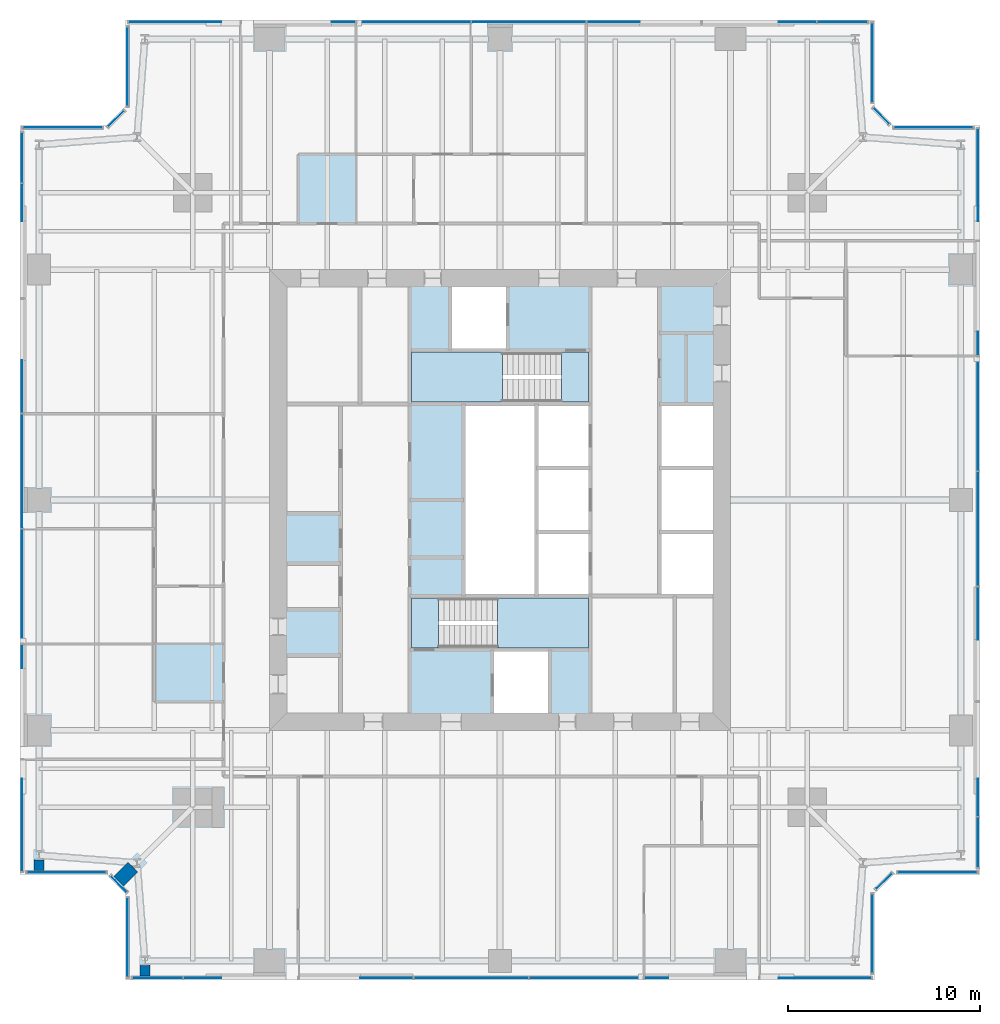
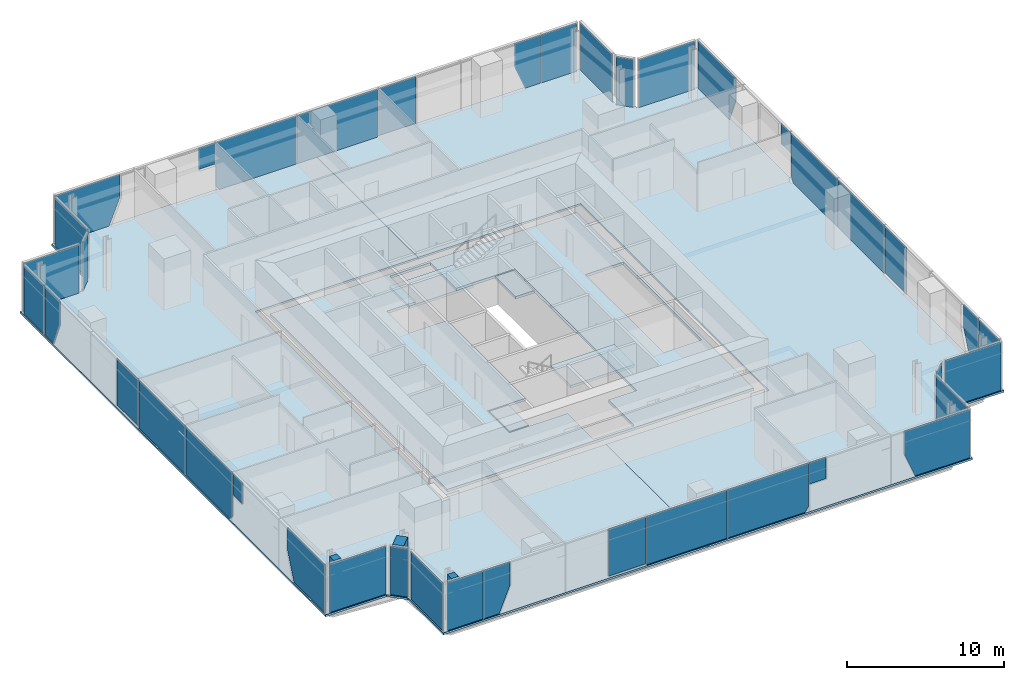
# One storey, part 8 of 14: 40 plates, 7 slabs, 3 walls, 18 elements without a shape of their own.
"""IFC4 building model written with IfcOpenShell, lengths in metres."""

from ifc_helpers import new_model, si_unit, direction, frame, frame_2d, origin, origin_2d, place, context, subcontext, project, spatial, polyline, rectangle, outline, extrude, material, layer, layer_set, type_object, element, aggregate, save


model = new_model("IFC4")

# Units and contexts
model_context = context("Model", 3, precision=1e-05, world=origin(), true_north=direction((0.0, 1.0)))
body_context = subcontext(model_context, "Body", "Model", "MODEL_VIEW")
ifc_project = project(units=[si_unit("LENGTHUNIT", "METRE"), si_unit("AREAUNIT", "SQUARE_METRE"), si_unit("VOLUMEUNIT", "CUBIC_METRE"), si_unit("PLANEANGLEUNIT", "RADIAN"), si_unit("MASSUNIT", "GRAM", prefix="KILO")], contexts=[model_context])

# Site, building, storey
site_placement = place(None, origin())
site = spatial("IfcSite", under=ifc_project, at=site_placement, CompositionType="ELEMENT")
building_placement = place(site_placement, origin())
building = spatial("IfcBuilding", under=site, at=building_placement, Name="Fenwick Lantern Interchange", CompositionType="ELEMENT")
storey_placement = place(building_placement, frame((0.0, 0.0, 197.800048828125)))
storey = spatial("IfcBuildingStorey", under=building, at=storey_placement, Name="L46", CompositionType="ELEMENT", Elevation=197.800048828125)

# Slabs
ifc_material_1 = material(Name="Concrete f'c 35 MPa", Category="concrete")
ifc_layer_1 = layer(ifc_material_1, 0.199951171875)
ifc_layer_set_1 = layer_set([ifc_layer_1], Name="CORE FLOOR SLAB 200")
slab_type_1 = type_object("IfcSlabType", Name="CORE FLOOR SLAB 200", PredefinedType="FLOOR", material=ifc_layer_set_1)
slab_1_placement = place(storey_placement, frame((0.0, 0.0, -0.199951171875)))
element("IfcSlab", 1, at=slab_1_placement, inside=storey, type_object=slab_type_1, Name="L46/SLAB/CORE", PredefinedType="FLOOR", context=body_context, shape_type="SweptSolid", body=[
    extrude(outline(polyline([(13.699951171875, 36.300048828125), (36.300048828125, 36.300048828125), (36.300048828125, 13.699951171875), (13.699951171875, 13.699951171875), (13.699951171875, 36.300048828125)]), holes=[polyline([(24.60009765625, 13.89990234375), (27.60009765625, 13.89990234375), (27.60009765625, 17.199951171875), (29.699951171875, 17.199951171875), (29.699951171875, 20.0), (29.699951171875, 23.333251953125), (29.699951171875, 26.666748046875), (29.699951171875, 30.0), (29.699951171875, 32.800048828125), (25.39990234375, 32.800048828125), (25.39990234375, 36.10009765625), (22.39990234375, 36.10009765625), (22.39990234375, 32.800048828125), (20.300048828125, 32.800048828125), (20.300048828125, 30.0), (23.10009765625, 30.0), (23.10009765625, 20.0), (20.300048828125, 20.0), (20.300048828125, 17.199951171875), (24.60009765625, 17.199951171875), (24.60009765625, 13.89990234375)]), polyline([(33.300048828125, 23.333251953125), (33.300048828125, 20.0), (36.10009765625, 20.0), (36.10009765625, 23.333251953125), (36.10009765625, 26.666748046875), (36.10009765625, 30.0), (33.300048828125, 30.0), (33.300048828125, 26.666748046875), (33.300048828125, 23.333251953125)])]), origin(), (0.0, 0.0, 1.0), 0.199951171875),
])
ifc_material_2 = material(Name="Concrete f'c 35 MPa", Category="concrete")
ifc_layer_2 = layer(ifc_material_2, 0.14990234375)
ifc_layer_set_2 = layer_set([ifc_layer_2], Name="Concrete f'c 35 MPa")
slab_type_2 = type_object("IfcSlabType", Name="FLOOR SLAB 150", PredefinedType="FLOOR", material=ifc_layer_set_2)
slab_2_placement = place(storey_placement, frame((0.0, 0.0, -0.150146484375)))
element("IfcSlab", 2, at=slab_2_placement, inside=storey, type_object=slab_type_2, Name="L46/SLAB/FW", PredefinedType="FLOOR", context=body_context, shape_type="SweptSolid", body=[
    extrude(outline(polyline([(5.5, 0.0), (5.5, 4.5), (4.5, 5.5), (0.0, 5.5), (0.0, 44.5), (4.5, 44.5), (5.5, 45.5), (5.5, 50.0), (25.0, 50.0), (25.0, 37.0), (13.0, 37.0), (13.0, 13.0), (25.0, 13.0), (25.0, 0.0), (5.5, 0.0)])), origin(), (0.0, 0.0, 1.0), 0.150146484375),
])
slab_3_placement = place(storey_placement, frame((0.0, 0.0, -0.150146484375)))
element("IfcSlab", 3, at=slab_3_placement, inside=storey, type_object=slab_type_2, Name="L46/SLAB/FE", PredefinedType="FLOOR", context=body_context, shape_type="SweptSolid", body=[
    extrude(outline(polyline([(44.5, 50.0), (44.5, 45.5), (45.5, 44.5), (50.0, 44.5), (50.0, 5.5), (45.5, 5.5), (44.5, 4.5), (44.5, 0.0), (25.0, 0.0), (25.0, 13.0), (37.0, 13.0), (37.0, 37.0), (25.0, 37.0), (25.0, 50.0), (44.5, 50.0)])), origin(), (0.0, 0.0, 1.0), 0.150146484375),
])

# Curtain wall, plates
ifc_material_3 = material(Name="Aluminium curtain wall frame", Category="aluminium")
curtain_wall_type = type_object("IfcCurtainWallType", Name="OFFICE CURTAIN WALL", PredefinedType="USERDEFINED", material=ifc_material_3)
curtain_wall_1_placement = place(storey_placement, origin())
curtain_wall_1 = element("IfcCurtainWall", 4, at=curtain_wall_1_placement, inside=storey, type_object=curtain_wall_type, Name="Office curtain wall 01", ObjectType="OFFICE CURTAIN WALL", PredefinedType="USERDEFINED")
ifc_material_4 = material(Name="Vision glass, clear low-iron double glazed", Category="glass")
ifc_layer_3 = layer(ifc_material_4, 0.031982421875)
ifc_layer_set_3 = layer_set([ifc_layer_3], Name="OFFICE CURTAIN WALL PANEL 32")
plate_type = type_object("IfcPlateType", Name="OFFICE CURTAIN WALL PANEL 32", PredefinedType="CURTAIN_PANEL", material=ifc_layer_set_3)
plate_1_placement = place(storey_placement, frame((7.166259765625, 0.10009765625, 0.0), z_axis=(0.0, 0.0, 1.0), x_axis=(1.0, 0.0, 0.0)))
plate_1 = element("IfcPlate", 5, at=plate_1_placement, type_object=plate_type, Name="L46/CW/01/P00", PredefinedType="CURTAIN_PANEL", context=body_context, shape_type="SweptSolid", body=[
    extrude(rectangle(XDim=2.6025390625, YDim=0.031982421875, at=origin_2d()), origin(), (0.0, 0.0, 1.0), 3.75),
])
plate_2_placement = place(storey_placement, frame((5.60009765625, 0.10009765625, 0.0), z_axis=(0.0, 0.0, 1.0), x_axis=(1.0, 0.0, 0.0)))
plate_2 = element("IfcPlate", 6, at=plate_2_placement, type_object=plate_type, Name="L46/CW/01/P01a", PredefinedType="CURTAIN_PANEL", context=body_context, shape_type="SweptSolid", body=[
    extrude(outline(polyline([(2.9326171875, 0.0), (4.078369140625, 0.0), (4.8798828125, 1.973388671875), (4.8798828125, 3.75), (2.9326171875, 3.75), (2.9326171875, 0.0)])), frame((0.0, 0.01611328125, 0.0), z_axis=(0.0, -1.0, 0.0), x_axis=(1.0, 0.0, 0.0)), (0.0, 0.0, 1.0), 0.031982421875),
])
plate_3_placement = place(storey_placement, frame((5.60009765625, 0.10009765625, 0.093994140625), z_axis=(0.0, 0.0, 1.0), x_axis=(1.0, 0.0, 0.0)))
plate_3 = element("IfcPlate", 7, at=plate_3_placement, type_object=plate_type, Name="L46/CW/01/P02a", PredefinedType="CURTAIN_PANEL", context=body_context, shape_type="SweptSolid", body=[
    extrude(outline(polyline([(12.125, 0.0), (14.867431640625, 0.0), (14.867431640625, 3.656005859375), (12.125, 3.656005859375), (12.125, 0.0)])), frame((0.0, 0.01611328125, 0.0), z_axis=(0.0, -1.0, 0.0), x_axis=(1.0, 0.0, 0.0)), (0.0, 0.0, 1.0), 0.031982421875),
])
plate_4_placement = place(storey_placement, frame((23.5, 0.10009765625, 0.0), z_axis=(0.0, 0.0, 1.0), x_axis=(1.0, 0.0, 0.0)))
plate_4 = element("IfcPlate", 8, at=plate_4_placement, type_object=plate_type, Name="L46/CW/01/P03", PredefinedType="CURTAIN_PANEL", context=body_context, shape_type="SweptSolid", body=[
    extrude(rectangle(XDim=5.93505859375, YDim=0.031982421875, at=origin_2d()), origin(), (0.0, 0.0, 1.0), 3.75),
])
plate_5_placement = place(storey_placement, frame((5.60009765625, 0.10009765625, 0.0), z_axis=(0.0, 0.0, 1.0), x_axis=(1.0, 0.0, 0.0)))
plate_5 = element("IfcPlate", 9, at=plate_5_placement, type_object=plate_type, Name="L46/CW/01/P04a", PredefinedType="CURTAIN_PANEL", context=body_context, shape_type="SweptSolid", body=[
    extrude(outline(polyline([(20.9326171875, 0.0), (26.6044921875, 0.0), (26.867431640625, 0.3505859375), (26.867431640625, 3.75), (20.9326171875, 3.75), (20.9326171875, 0.0)])), frame((0.0, 0.01611328125, 0.0), z_axis=(0.0, -1.0, 0.0), x_axis=(1.0, 0.0, 0.0)), (0.0, 0.0, 1.0), 0.031982421875),
])
plate_6_placement = place(storey_placement, frame((5.60009765625, 0.10009765625, 2.090576171875), z_axis=(0.0, 0.0, 1.0), x_axis=(1.0, 0.0, 0.0)))
plate_6 = element("IfcPlate", 10, at=plate_6_placement, type_object=plate_type, Name="L46/CW/01/P05a", PredefinedType="CURTAIN_PANEL", context=body_context, shape_type="SweptSolid", body=[
    extrude(outline(polyline([(26.9326171875, 0.0), (28.172607421875, 0.0), (28.172607421875, 1.659423828125), (26.9326171875, 1.659423828125), (26.9326171875, 0.0)])), frame((0.0, 0.01611328125, 0.0), z_axis=(0.0, -1.0, 0.0), x_axis=(1.0, 0.0, 0.0)), (0.0, 0.0, 1.0), 0.031982421875),
])
plate_7_placement = place(storey_placement, frame((5.60009765625, 0.10009765625, 0.0), z_axis=(0.0, 0.0, 1.0), x_axis=(1.0, 0.0, 0.0)))
plate_7 = element("IfcPlate", 11, at=plate_7_placement, type_object=plate_type, Name="L46/CW/01/P06a", PredefinedType="CURTAIN_PANEL", context=body_context, shape_type="SweptSolid", body=[
    extrude(outline(polyline([(34.7216796875, 0.0), (38.735107421875, 0.0), (38.735107421875, 3.75), (33.919921875, 3.75), (33.919921875, 1.973388671875), (34.7216796875, 0.0)])), frame((0.0, 0.01611328125, 0.0), z_axis=(0.0, -1.0, 0.0), x_axis=(1.0, 0.0, 0.0)), (0.0, 0.0, 1.0), 0.031982421875),
])
aggregate(curtain_wall_1, [plate_1, plate_2, plate_3, plate_4, plate_5, plate_6, plate_7])

# Curtain wall, plate
curtain_wall_2_placement = place(storey_placement, origin())
curtain_wall_2 = element("IfcCurtainWall", 12, at=curtain_wall_2_placement, inside=storey, type_object=curtain_wall_type, Name="Office curtain wall 02", ObjectType="OFFICE CURTAIN WALL", PredefinedType="USERDEFINED")
plate_8_placement = place(storey_placement, frame((44.39990234375, 2.420654296875, 0.0), z_axis=(0.0, 0.0, 1.0), x_axis=(0.0, 1.0, 0.0)))
plate_8 = element("IfcPlate", 13, at=plate_8_placement, type_object=plate_type, Name="L46/CW/02/P00", PredefinedType="CURTAIN_PANEL", context=body_context, shape_type="SweptSolid", body=[
    extrude(rectangle(XDim=4.111328125, YDim=0.031982421875, at=origin_2d()), origin(), (0.0, 0.0, 1.0), 3.75),
])
aggregate(curtain_wall_2, [plate_8])

curtain_wall_3_placement = place(storey_placement, origin())
curtain_wall_3 = element("IfcCurtainWall", 14, at=curtain_wall_3_placement, inside=storey, type_object=curtain_wall_type, Name="Office curtain wall 03", ObjectType="OFFICE CURTAIN WALL", PredefinedType="USERDEFINED")
plate_9_placement = place(storey_placement, frame((45.0, 5.141357421875, 0.0), z_axis=(0.0, 0.0, 1.0), x_axis=(0.707106781187, 0.707106781187, 0.0)))
plate_9 = element("IfcPlate", 15, at=plate_9_placement, type_object=plate_type, Name="L46/CW/03/P00", PredefinedType="CURTAIN_PANEL", context=body_context, shape_type="SweptSolid", body=[
    extrude(rectangle(XDim=1.1669921875, YDim=0.031982421875, at=origin_2d()), origin(), (0.0, 0.0, 1.0), 3.75),
])
aggregate(curtain_wall_3, [plate_9])

curtain_wall_4_placement = place(storey_placement, origin())
curtain_wall_4 = element("IfcCurtainWall", 16, at=curtain_wall_4_placement, inside=storey, type_object=curtain_wall_type, Name="Office curtain wall 04", ObjectType="OFFICE CURTAIN WALL", PredefinedType="USERDEFINED")
plate_10_placement = place(storey_placement, frame((47.779296875, 5.60009765625, 0.0), z_axis=(0.0, 0.0, 1.0), x_axis=(1.0, 0.0, 0.0)))
plate_10 = element("IfcPlate", 17, at=plate_10_placement, type_object=plate_type, Name="L46/CW/04/P00", PredefinedType="CURTAIN_PANEL", context=body_context, shape_type="SweptSolid", body=[
    extrude(rectangle(XDim=4.111328125, YDim=0.031982421875, at=origin_2d()), origin(), (0.0, 0.0, 1.0), 3.75),
])
aggregate(curtain_wall_4, [plate_10])

# Curtain wall, plates
curtain_wall_5_placement = place(storey_placement, origin())
curtain_wall_5 = element("IfcCurtainWall", 18, at=curtain_wall_5_placement, inside=storey, type_object=curtain_wall_type, Name="Office curtain wall 05", ObjectType="OFFICE CURTAIN WALL", PredefinedType="USERDEFINED")
plate_11_placement = place(storey_placement, frame((49.89990234375, 7.166259765625, 0.0), z_axis=(0.0, 0.0, 1.0), x_axis=(0.0, 1.0, 0.0)))
plate_11 = element("IfcPlate", 19, at=plate_11_placement, type_object=plate_type, Name="L46/CW/05/P00", PredefinedType="CURTAIN_PANEL", context=body_context, shape_type="SweptSolid", body=[
    extrude(rectangle(XDim=2.6025390625, YDim=0.031982421875, at=origin_2d()), origin(), (0.0, 0.0, 1.0), 3.75),
])
plate_12_placement = place(storey_placement, frame((49.89990234375, 5.60009765625, 0.0), z_axis=(0.0, 0.0, 1.0), x_axis=(0.0, 1.0, 0.0)))
plate_12 = element("IfcPlate", 20, at=plate_12_placement, type_object=plate_type, Name="L46/CW/05/P01a", PredefinedType="CURTAIN_PANEL", context=body_context, shape_type="SweptSolid", body=[
    extrude(outline(polyline([(2.9326171875, 0.0), (4.078369140625, 0.0), (4.8798828125, 1.973388671875), (4.8798828125, 3.75), (2.9326171875, 3.75), (2.9326171875, 0.0)])), frame((0.0, 0.01611328125, 0.0), z_axis=(0.0, -1.0, 0.0), x_axis=(1.0, 0.0, 0.0)), (0.0, 0.0, 1.0), 0.031982421875),
])
plate_13_placement = place(storey_placement, frame((49.89990234375, 5.60009765625, 0.093994140625), z_axis=(0.0, 0.0, 1.0), x_axis=(0.0, 1.0, 0.0)))
plate_13 = element("IfcPlate", 21, at=plate_13_placement, type_object=plate_type, Name="L46/CW/05/P02a", PredefinedType="CURTAIN_PANEL", context=body_context, shape_type="SweptSolid", body=[
    extrude(outline(polyline([(12.125, 0.0), (14.867431640625, 0.0), (14.867431640625, 3.656005859375), (12.125, 3.656005859375), (12.125, 0.0)])), frame((0.0, 0.01611328125, 0.0), z_axis=(0.0, -1.0, 0.0), x_axis=(1.0, 0.0, 0.0)), (0.0, 0.0, 1.0), 0.031982421875),
])
plate_14_placement = place(storey_placement, frame((49.89990234375, 23.5, 0.0), z_axis=(0.0, 0.0, 1.0), x_axis=(0.0, 1.0, 0.0)))
plate_14 = element("IfcPlate", 22, at=plate_14_placement, type_object=plate_type, Name="L46/CW/05/P03", PredefinedType="CURTAIN_PANEL", context=body_context, shape_type="SweptSolid", body=[
    extrude(rectangle(XDim=5.93505859375, YDim=0.031982421875, at=origin_2d()), origin(), (0.0, 0.0, 1.0), 3.75),
])
plate_15_placement = place(storey_placement, frame((49.89990234375, 5.60009765625, 0.0), z_axis=(0.0, 0.0, 1.0), x_axis=(0.0, 1.0, 0.0)))
plate_15 = element("IfcPlate", 23, at=plate_15_placement, type_object=plate_type, Name="L46/CW/05/P04a", PredefinedType="CURTAIN_PANEL", context=body_context, shape_type="SweptSolid", body=[
    extrude(outline(polyline([(20.9326171875, 0.0), (26.6044921875, 0.0), (26.867431640625, 0.3505859375), (26.867431640625, 3.75), (20.9326171875, 3.75), (20.9326171875, 0.0)])), frame((0.0, 0.01611328125, 0.0), z_axis=(0.0, -1.0, 0.0), x_axis=(1.0, 0.0, 0.0)), (0.0, 0.0, 1.0), 0.031982421875),
])
plate_16_placement = place(storey_placement, frame((49.89990234375, 5.60009765625, 2.090576171875), z_axis=(0.0, 0.0, 1.0), x_axis=(0.0, 1.0, 0.0)))
plate_16 = element("IfcPlate", 24, at=plate_16_placement, type_object=plate_type, Name="L46/CW/05/P05a", PredefinedType="CURTAIN_PANEL", context=body_context, shape_type="SweptSolid", body=[
    extrude(outline(polyline([(26.9326171875, 0.0), (28.172607421875, 0.0), (28.172607421875, 1.659423828125), (26.9326171875, 1.659423828125), (26.9326171875, 0.0)])), frame((0.0, 0.01611328125, 0.0), z_axis=(0.0, -1.0, 0.0), x_axis=(1.0, 0.0, 0.0)), (0.0, 0.0, 1.0), 0.031982421875),
])
plate_17_placement = place(storey_placement, frame((49.89990234375, 5.60009765625, 0.0), z_axis=(0.0, 0.0, 1.0), x_axis=(0.0, 1.0, 0.0)))
plate_17 = element("IfcPlate", 25, at=plate_17_placement, type_object=plate_type, Name="L46/CW/05/P06a", PredefinedType="CURTAIN_PANEL", context=body_context, shape_type="SweptSolid", body=[
    extrude(outline(polyline([(34.7216796875, 0.0), (38.735107421875, 0.0), (38.735107421875, 3.75), (33.919921875, 3.75), (33.919921875, 1.973388671875), (34.7216796875, 0.0)])), frame((0.0, 0.01611328125, 0.0), z_axis=(0.0, -1.0, 0.0), x_axis=(1.0, 0.0, 0.0)), (0.0, 0.0, 1.0), 0.031982421875),
])
aggregate(curtain_wall_5, [plate_11, plate_12, plate_13, plate_14, plate_15, plate_16, plate_17])

# Curtain wall, plate
curtain_wall_6_placement = place(storey_placement, origin())
curtain_wall_6 = element("IfcCurtainWall", 26, at=curtain_wall_6_placement, inside=storey, type_object=curtain_wall_type, Name="Office curtain wall 06", ObjectType="OFFICE CURTAIN WALL", PredefinedType="USERDEFINED")
plate_18_placement = place(storey_placement, frame((47.579345703125, 44.39990234375, 0.0), z_axis=(0.0, 0.0, 1.0), x_axis=(-1.0, 0.0, 0.0)))
plate_18 = element("IfcPlate", 27, at=plate_18_placement, type_object=plate_type, Name="L46/CW/06/P00", PredefinedType="CURTAIN_PANEL", context=body_context, shape_type="SweptSolid", body=[
    extrude(rectangle(XDim=4.111328125, YDim=0.031982421875, at=origin_2d()), origin(), (0.0, 0.0, 1.0), 3.75),
])
aggregate(curtain_wall_6, [plate_18])

curtain_wall_7_placement = place(storey_placement, origin())
curtain_wall_7 = element("IfcCurtainWall", 28, at=curtain_wall_7_placement, inside=storey, type_object=curtain_wall_type, Name="Office curtain wall 07", ObjectType="OFFICE CURTAIN WALL", PredefinedType="USERDEFINED")
plate_19_placement = place(storey_placement, frame((44.858642578125, 45.0, 0.0), z_axis=(0.0, 0.0, 1.0), x_axis=(-0.707106781187, 0.707106781187, 0.0)))
plate_19 = element("IfcPlate", 29, at=plate_19_placement, type_object=plate_type, Name="L46/CW/07/P00", PredefinedType="CURTAIN_PANEL", context=body_context, shape_type="SweptSolid", body=[
    extrude(rectangle(XDim=1.1669921875, YDim=0.031982421875, at=origin_2d()), origin(), (0.0, 0.0, 1.0), 3.75),
])
aggregate(curtain_wall_7, [plate_19])

curtain_wall_8_placement = place(storey_placement, origin())
curtain_wall_8 = element("IfcCurtainWall", 30, at=curtain_wall_8_placement, inside=storey, type_object=curtain_wall_type, Name="Office curtain wall 08", ObjectType="OFFICE CURTAIN WALL", PredefinedType="USERDEFINED")
plate_20_placement = place(storey_placement, frame((44.39990234375, 47.779296875, 0.0), z_axis=(0.0, 0.0, 1.0), x_axis=(0.0, 1.0, 0.0)))
plate_20 = element("IfcPlate", 31, at=plate_20_placement, type_object=plate_type, Name="L46/CW/08/P00", PredefinedType="CURTAIN_PANEL", context=body_context, shape_type="SweptSolid", body=[
    extrude(rectangle(XDim=4.111328125, YDim=0.031982421875, at=origin_2d()), origin(), (0.0, 0.0, 1.0), 3.75),
])
aggregate(curtain_wall_8, [plate_20])

# Curtain wall, plates
curtain_wall_9_placement = place(storey_placement, origin())
curtain_wall_9 = element("IfcCurtainWall", 32, at=curtain_wall_9_placement, inside=storey, type_object=curtain_wall_type, Name="Office curtain wall 09", ObjectType="OFFICE CURTAIN WALL", PredefinedType="USERDEFINED")
plate_21_placement = place(storey_placement, frame((42.833740234375, 49.89990234375, 0.0), z_axis=(0.0, 0.0, 1.0), x_axis=(-1.0, 0.0, 0.0)))
plate_21 = element("IfcPlate", 33, at=plate_21_placement, type_object=plate_type, Name="L46/CW/09/P00", PredefinedType="CURTAIN_PANEL", context=body_context, shape_type="SweptSolid", body=[
    extrude(rectangle(XDim=2.6025390625, YDim=0.031982421875, at=origin_2d()), origin(), (0.0, 0.0, 1.0), 3.75),
])
plate_22_placement = place(storey_placement, frame((44.39990234375, 49.89990234375, 0.0), z_axis=(0.0, 0.0, 1.0), x_axis=(-1.0, 0.0, 0.0)))
plate_22 = element("IfcPlate", 34, at=plate_22_placement, type_object=plate_type, Name="L46/CW/09/P01a", PredefinedType="CURTAIN_PANEL", context=body_context, shape_type="SweptSolid", body=[
    extrude(outline(polyline([(2.9326171875, 0.0), (4.078369140625, 0.0), (4.8798828125, 1.973388671875), (4.8798828125, 3.75), (2.9326171875, 3.75), (2.9326171875, 0.0)])), frame((0.0, 0.01611328125, 0.0), z_axis=(0.0, -1.0, 0.0), x_axis=(1.0, 0.0, 0.0)), (0.0, 0.0, 1.0), 0.031982421875),
])
plate_23_placement = place(storey_placement, frame((44.39990234375, 49.89990234375, 0.093994140625), z_axis=(0.0, 0.0, 1.0), x_axis=(-1.0, 0.0, 0.0)))
plate_23 = element("IfcPlate", 35, at=plate_23_placement, type_object=plate_type, Name="L46/CW/09/P02a", PredefinedType="CURTAIN_PANEL", context=body_context, shape_type="SweptSolid", body=[
    extrude(outline(polyline([(12.125, 0.0), (14.867431640625, 0.0), (14.867431640625, 3.656005859375), (12.125, 3.656005859375), (12.125, 0.0)])), frame((0.0, 0.01611328125, 0.0), z_axis=(0.0, -1.0, 0.0), x_axis=(1.0, 0.0, 0.0)), (0.0, 0.0, 1.0), 0.031982421875),
])
plate_24_placement = place(storey_placement, frame((26.5, 49.89990234375, 0.0), z_axis=(0.0, 0.0, 1.0), x_axis=(-1.0, 0.0, 0.0)))
plate_24 = element("IfcPlate", 36, at=plate_24_placement, type_object=plate_type, Name="L46/CW/09/P03", PredefinedType="CURTAIN_PANEL", context=body_context, shape_type="SweptSolid", body=[
    extrude(rectangle(XDim=5.93505859375, YDim=0.031982421875, at=origin_2d()), origin(), (0.0, 0.0, 1.0), 3.75),
])
plate_25_placement = place(storey_placement, frame((44.39990234375, 49.89990234375, 0.0), z_axis=(0.0, 0.0, 1.0), x_axis=(-1.0, 0.0, 0.0)))
plate_25 = element("IfcPlate", 37, at=plate_25_placement, type_object=plate_type, Name="L46/CW/09/P04a", PredefinedType="CURTAIN_PANEL", context=body_context, shape_type="SweptSolid", body=[
    extrude(outline(polyline([(20.9326171875, 0.0), (26.6044921875, 0.0), (26.867431640625, 0.3505859375), (26.867431640625, 3.75), (20.9326171875, 3.75), (20.9326171875, 0.0)])), frame((0.0, 0.01611328125, 0.0), z_axis=(0.0, -1.0, 0.0), x_axis=(1.0, 0.0, 0.0)), (0.0, 0.0, 1.0), 0.031982421875),
])
plate_26_placement = place(storey_placement, frame((44.39990234375, 49.89990234375, 2.090576171875), z_axis=(0.0, 0.0, 1.0), x_axis=(-1.0, 0.0, 0.0)))
plate_26 = element("IfcPlate", 38, at=plate_26_placement, type_object=plate_type, Name="L46/CW/09/P05a", PredefinedType="CURTAIN_PANEL", context=body_context, shape_type="SweptSolid", body=[
    extrude(outline(polyline([(26.9326171875, 0.0), (28.172607421875, 0.0), (28.172607421875, 1.659423828125), (26.9326171875, 1.659423828125), (26.9326171875, 0.0)])), frame((0.0, 0.01611328125, 0.0), z_axis=(0.0, -1.0, 0.0), x_axis=(1.0, 0.0, 0.0)), (0.0, 0.0, 1.0), 0.031982421875),
])
plate_27_placement = place(storey_placement, frame((44.39990234375, 49.89990234375, 0.0), z_axis=(0.0, 0.0, 1.0), x_axis=(-1.0, 0.0, 0.0)))
plate_27 = element("IfcPlate", 39, at=plate_27_placement, type_object=plate_type, Name="L46/CW/09/P06a", PredefinedType="CURTAIN_PANEL", context=body_context, shape_type="SweptSolid", body=[
    extrude(outline(polyline([(34.7216796875, 0.0), (38.735107421875, 0.0), (38.735107421875, 3.75), (33.919921875, 3.75), (33.919921875, 1.973388671875), (34.7216796875, 0.0)])), frame((0.0, 0.01611328125, 0.0), z_axis=(0.0, -1.0, 0.0), x_axis=(1.0, 0.0, 0.0)), (0.0, 0.0, 1.0), 0.031982421875),
])
aggregate(curtain_wall_9, [plate_21, plate_22, plate_23, plate_24, plate_25, plate_26, plate_27])

# Curtain wall, plate
curtain_wall_10_placement = place(storey_placement, origin())
curtain_wall_10 = element("IfcCurtainWall", 40, at=curtain_wall_10_placement, inside=storey, type_object=curtain_wall_type, Name="Office curtain wall 10", ObjectType="OFFICE CURTAIN WALL", PredefinedType="USERDEFINED")
plate_28_placement = place(storey_placement, frame((5.60009765625, 47.579345703125, 0.0), z_axis=(0.0, 0.0, 1.0), x_axis=(0.0, -1.0, 0.0)))
plate_28 = element("IfcPlate", 41, at=plate_28_placement, type_object=plate_type, Name="L46/CW/10/P00", PredefinedType="CURTAIN_PANEL", context=body_context, shape_type="SweptSolid", body=[
    extrude(rectangle(XDim=4.111328125, YDim=0.031982421875, at=origin_2d()), origin(), (0.0, 0.0, 1.0), 3.75),
])
aggregate(curtain_wall_10, [plate_28])

curtain_wall_11_placement = place(storey_placement, origin())
curtain_wall_11 = element("IfcCurtainWall", 42, at=curtain_wall_11_placement, inside=storey, type_object=curtain_wall_type, Name="Office curtain wall 11", ObjectType="OFFICE CURTAIN WALL", PredefinedType="USERDEFINED")
plate_29_placement = place(storey_placement, frame((5.0, 44.858642578125, 0.0), z_axis=(0.0, 0.0, 1.0), x_axis=(-0.707106781187, -0.707106781187, 0.0)))
plate_29 = element("IfcPlate", 43, at=plate_29_placement, type_object=plate_type, Name="L46/CW/11/P00", PredefinedType="CURTAIN_PANEL", context=body_context, shape_type="SweptSolid", body=[
    extrude(rectangle(XDim=1.1669921875, YDim=0.031982421875, at=origin_2d()), origin(), (0.0, 0.0, 1.0), 3.75),
])
aggregate(curtain_wall_11, [plate_29])

curtain_wall_12_placement = place(storey_placement, origin())
curtain_wall_12 = element("IfcCurtainWall", 44, at=curtain_wall_12_placement, inside=storey, type_object=curtain_wall_type, Name="Office curtain wall 12", ObjectType="OFFICE CURTAIN WALL", PredefinedType="USERDEFINED")
plate_30_placement = place(storey_placement, frame((2.220703125, 44.39990234375, 0.0), z_axis=(0.0, 0.0, 1.0), x_axis=(-1.0, 0.0, 0.0)))
plate_30 = element("IfcPlate", 45, at=plate_30_placement, type_object=plate_type, Name="L46/CW/12/P00", PredefinedType="CURTAIN_PANEL", context=body_context, shape_type="SweptSolid", body=[
    extrude(rectangle(XDim=4.111328125, YDim=0.031982421875, at=origin_2d()), origin(), (0.0, 0.0, 1.0), 3.75),
])
aggregate(curtain_wall_12, [plate_30])

# Curtain wall, plates
curtain_wall_13_placement = place(storey_placement, origin())
curtain_wall_13 = element("IfcCurtainWall", 46, at=curtain_wall_13_placement, inside=storey, type_object=curtain_wall_type, Name="Office curtain wall 13", ObjectType="OFFICE CURTAIN WALL", PredefinedType="USERDEFINED")
plate_31_placement = place(storey_placement, frame((0.10009765625, 42.833740234375, 0.0), z_axis=(0.0, 0.0, 1.0), x_axis=(0.0, -1.0, 0.0)))
plate_31 = element("IfcPlate", 47, at=plate_31_placement, type_object=plate_type, Name="L46/CW/13/P00", PredefinedType="CURTAIN_PANEL", context=body_context, shape_type="SweptSolid", body=[
    extrude(rectangle(XDim=2.6025390625, YDim=0.031982421875, at=origin_2d()), origin(), (0.0, 0.0, 1.0), 3.75),
])
plate_32_placement = place(storey_placement, frame((0.10009765625, 44.39990234375, 0.0), z_axis=(0.0, 0.0, 1.0), x_axis=(0.0, -1.0, 0.0)))
plate_32 = element("IfcPlate", 48, at=plate_32_placement, type_object=plate_type, Name="L46/CW/13/P01a", PredefinedType="CURTAIN_PANEL", context=body_context, shape_type="SweptSolid", body=[
    extrude(outline(polyline([(2.9326171875, 0.0), (4.078369140625, 0.0), (4.8798828125, 1.973388671875), (4.8798828125, 3.75), (2.9326171875, 3.75), (2.9326171875, 0.0)])), frame((0.0, 0.01611328125, 0.0), z_axis=(0.0, -1.0, 0.0), x_axis=(1.0, 0.0, 0.0)), (0.0, 0.0, 1.0), 0.031982421875),
])
plate_33_placement = place(storey_placement, frame((0.10009765625, 44.39990234375, 0.093994140625), z_axis=(0.0, 0.0, 1.0), x_axis=(0.0, -1.0, 0.0)))
plate_33 = element("IfcPlate", 49, at=plate_33_placement, type_object=plate_type, Name="L46/CW/13/P02a", PredefinedType="CURTAIN_PANEL", context=body_context, shape_type="SweptSolid", body=[
    extrude(outline(polyline([(12.125, 0.0), (14.867431640625, 0.0), (14.867431640625, 3.656005859375), (12.125, 3.656005859375), (12.125, 0.0)])), frame((0.0, 0.01611328125, 0.0), z_axis=(0.0, -1.0, 0.0), x_axis=(1.0, 0.0, 0.0)), (0.0, 0.0, 1.0), 0.031982421875),
])
plate_34_placement = place(storey_placement, frame((0.10009765625, 26.5, 0.0), z_axis=(0.0, 0.0, 1.0), x_axis=(0.0, -1.0, 0.0)))
plate_34 = element("IfcPlate", 50, at=plate_34_placement, type_object=plate_type, Name="L46/CW/13/P03", PredefinedType="CURTAIN_PANEL", context=body_context, shape_type="SweptSolid", body=[
    extrude(rectangle(XDim=5.93505859375, YDim=0.031982421875, at=origin_2d()), origin(), (0.0, 0.0, 1.0), 3.75),
])
plate_35_placement = place(storey_placement, frame((0.10009765625, 44.39990234375, 0.0), z_axis=(0.0, 0.0, 1.0), x_axis=(0.0, -1.0, 0.0)))
plate_35 = element("IfcPlate", 51, at=plate_35_placement, type_object=plate_type, Name="L46/CW/13/P04a", PredefinedType="CURTAIN_PANEL", context=body_context, shape_type="SweptSolid", body=[
    extrude(outline(polyline([(20.9326171875, 0.0), (26.6044921875, 0.0), (26.867431640625, 0.3505859375), (26.867431640625, 3.75), (20.9326171875, 3.75), (20.9326171875, 0.0)])), frame((0.0, 0.01611328125, 0.0), z_axis=(0.0, -1.0, 0.0), x_axis=(1.0, 0.0, 0.0)), (0.0, 0.0, 1.0), 0.031982421875),
])
plate_36_placement = place(storey_placement, frame((0.10009765625, 44.39990234375, 2.090576171875), z_axis=(0.0, 0.0, 1.0), x_axis=(0.0, -1.0, 0.0)))
plate_36 = element("IfcPlate", 52, at=plate_36_placement, type_object=plate_type, Name="L46/CW/13/P05a", PredefinedType="CURTAIN_PANEL", context=body_context, shape_type="SweptSolid", body=[
    extrude(outline(polyline([(26.9326171875, 0.0), (28.172607421875, 0.0), (28.172607421875, 1.659423828125), (26.9326171875, 1.659423828125), (26.9326171875, 0.0)])), frame((0.0, 0.01611328125, 0.0), z_axis=(0.0, -1.0, 0.0), x_axis=(1.0, 0.0, 0.0)), (0.0, 0.0, 1.0), 0.031982421875),
])
plate_37_placement = place(storey_placement, frame((0.10009765625, 44.39990234375, 0.0), z_axis=(0.0, 0.0, 1.0), x_axis=(0.0, -1.0, 0.0)))
plate_37 = element("IfcPlate", 53, at=plate_37_placement, type_object=plate_type, Name="L46/CW/13/P06a", PredefinedType="CURTAIN_PANEL", context=body_context, shape_type="SweptSolid", body=[
    extrude(outline(polyline([(34.7216796875, 0.0), (38.735107421875, 0.0), (38.735107421875, 3.75), (33.919921875, 3.75), (33.919921875, 1.973388671875), (34.7216796875, 0.0)])), frame((0.0, 0.01611328125, 0.0), z_axis=(0.0, -1.0, 0.0), x_axis=(1.0, 0.0, 0.0)), (0.0, 0.0, 1.0), 0.031982421875),
])
aggregate(curtain_wall_13, [plate_31, plate_32, plate_33, plate_34, plate_35, plate_36, plate_37])

# Curtain wall, plate
curtain_wall_14_placement = place(storey_placement, origin())
curtain_wall_14 = element("IfcCurtainWall", 54, at=curtain_wall_14_placement, inside=storey, type_object=curtain_wall_type, Name="Office curtain wall 14", ObjectType="OFFICE CURTAIN WALL", PredefinedType="USERDEFINED")
plate_38_placement = place(storey_placement, frame((2.420654296875, 5.60009765625, 0.0), z_axis=(0.0, 0.0, 1.0), x_axis=(1.0, 0.0, 0.0)))
plate_38 = element("IfcPlate", 55, at=plate_38_placement, type_object=plate_type, Name="L46/CW/14/P00", PredefinedType="CURTAIN_PANEL", context=body_context, shape_type="SweptSolid", body=[
    extrude(rectangle(XDim=4.111328125, YDim=0.031982421875, at=origin_2d()), origin(), (0.0, 0.0, 1.0), 3.75),
])
aggregate(curtain_wall_14, [plate_38])

curtain_wall_15_placement = place(storey_placement, origin())
curtain_wall_15 = element("IfcCurtainWall", 56, at=curtain_wall_15_placement, inside=storey, type_object=curtain_wall_type, Name="Office curtain wall 15", ObjectType="OFFICE CURTAIN WALL", PredefinedType="USERDEFINED")
plate_39_placement = place(storey_placement, frame((5.141357421875, 5.0, 0.0), z_axis=(0.0, 0.0, 1.0), x_axis=(0.707106781187, -0.707106781187, 0.0)))
plate_39 = element("IfcPlate", 57, at=plate_39_placement, type_object=plate_type, Name="L46/CW/15/P00", PredefinedType="CURTAIN_PANEL", context=body_context, shape_type="SweptSolid", body=[
    extrude(rectangle(XDim=1.1669921875, YDim=0.031982421875, at=origin_2d()), origin(), (0.0, 0.0, 1.0), 3.75),
])
aggregate(curtain_wall_15, [plate_39])

curtain_wall_16_placement = place(storey_placement, origin())
curtain_wall_16 = element("IfcCurtainWall", 58, at=curtain_wall_16_placement, inside=storey, type_object=curtain_wall_type, Name="Office curtain wall 16", ObjectType="OFFICE CURTAIN WALL", PredefinedType="USERDEFINED")
plate_40_placement = place(storey_placement, frame((5.60009765625, 2.220703125, 0.0), z_axis=(0.0, 0.0, 1.0), x_axis=(0.0, -1.0, 0.0)))
plate_40 = element("IfcPlate", 59, at=plate_40_placement, type_object=plate_type, Name="L46/CW/16/P00", PredefinedType="CURTAIN_PANEL", context=body_context, shape_type="SweptSolid", body=[
    extrude(rectangle(XDim=4.111328125, YDim=0.031982421875, at=origin_2d()), origin(), (0.0, 0.0, 1.0), 3.75),
])
aggregate(curtain_wall_16, [plate_40])

# Stair, slabs
ifc_material_5 = material(Name="Precast concrete f'c 35 MPa", Category="concrete")
stair_type = type_object("IfcStairType", Name="EXIT STAIR 1200", PredefinedType="HALF_TURN_STAIR", material=ifc_material_5)
stair_1_placement = place(storey_placement, origin())
stair_1 = element("IfcStair", 60, at=stair_1_placement, inside=storey, type_object=stair_type, Name="Exit stair ST1", PredefinedType="HALF_TURN_STAIR")
ifc_layer_4 = layer(ifc_material_1, 0.199951171875)
ifc_layer_set_4 = layer_set([ifc_layer_4], Name="STAIR LANDING 200")
slab_type_3 = type_object("IfcSlabType", Name="STAIR LANDING 200", PredefinedType="LANDING", material=ifc_layer_set_4)
slab_4_placement = place(storey_placement, frame((0.0, 0.0, 1.800048828125)))
slab_4 = element("IfcSlab", 61, at=slab_4_placement, type_object=slab_type_3, Name="ST1 landing 1", PredefinedType="LANDING", context=body_context, shape_type="SweptSolid", body=[
    extrude(outline(polyline([(24.8798828125, 17.300048828125), (29.60009765625, 17.300048828125), (29.60009765625, 19.89990234375), (24.8798828125, 19.89990234375), (24.8798828125, 17.300048828125)])), origin(), (0.0, 0.0, 1.0), 0.199951171875),
])
slab_5_placement = place(storey_placement, frame((0.0, 0.0, -0.199951171875)))
slab_5 = element("IfcSlab", 62, at=slab_5_placement, type_object=slab_type_3, Name="ST1 landing 2", PredefinedType="LANDING", context=body_context, shape_type="SweptSolid", body=[
    extrude(outline(polyline([(20.39990234375, 17.300048828125), (21.800048828125, 17.300048828125), (21.800048828125, 19.89990234375), (20.39990234375, 19.89990234375), (20.39990234375, 17.300048828125)])), origin(), (0.0, 0.0, 1.0), 0.199951171875),
])
aggregate(stair_1, [slab_4, slab_5])

stair_2_placement = place(storey_placement, origin())
stair_2 = element("IfcStair", 63, at=stair_2_placement, inside=storey, type_object=stair_type, Name="Exit stair ST2", PredefinedType="HALF_TURN_STAIR")
slab_6_placement = place(storey_placement, frame((0.0, 0.0, 1.800048828125)))
slab_6 = element("IfcSlab", 64, at=slab_6_placement, type_object=slab_type_3, Name="ST2 landing 1", PredefinedType="LANDING", context=body_context, shape_type="SweptSolid", body=[
    extrude(outline(polyline([(25.1201171875, 32.699951171875), (20.39990234375, 32.699951171875), (20.39990234375, 30.10009765625), (25.1201171875, 30.10009765625), (25.1201171875, 32.699951171875)])), origin(), (0.0, 0.0, 1.0), 0.199951171875),
])
slab_7_placement = place(storey_placement, frame((0.0, 0.0, -0.199951171875)))
slab_7 = element("IfcSlab", 65, at=slab_7_placement, type_object=slab_type_3, Name="ST2 landing 2", PredefinedType="LANDING", context=body_context, shape_type="SweptSolid", body=[
    extrude(outline(polyline([(29.60009765625, 32.699951171875), (28.199951171875, 32.699951171875), (28.199951171875, 30.10009765625), (29.60009765625, 30.10009765625), (29.60009765625, 32.699951171875)])), origin(), (0.0, 0.0, 1.0), 0.199951171875),
])
aggregate(stair_2, [slab_6, slab_7])

# Walls
ifc_material_6 = material(Name="Fire-rated gypsum board encasement on steel studs, 2 hour", Category="steel")
ifc_layer_5 = layer(ifc_material_6, 0.52392578125)
ifc_layer_set_5 = layer_set([ifc_layer_5], Name="COLUMN PIER 524")
wall_type_1 = type_object("IfcWallType", Name="COLUMN PIER 524", PredefinedType="PARTITIONING", material=ifc_layer_set_5)
for number, where, z_axis, x_axis, name in (
    (66, (6.5, 0.199951171875, 0.0), (0.0, 0.0, 1.0), (0.0, 1.0, 0.0), "L46/W/PIER/CS1"),
    (67, (1.0, 5.699951171875, 0.0), (0.0, 0.0, 1.0), (0.0, 1.0, 0.0), "L46/W/PIER/CW5"),
):
    element("IfcWall", number, at=place(storey_placement, frame(where, z_axis=z_axis, x_axis=x_axis)), inside=storey, type_object=wall_type_1, Name=name, PredefinedType="PARTITIONING", context=body_context, shape_type="SweptSolid", body=[
        extrude(rectangle(XDim=0.5625, YDim=0.52392578125, at=frame_2d((0.28125, 0.0))), origin(), (0.0, 0.0, 1.0), 3.849853515625),
    ])
ifc_layer_6 = layer(ifc_material_6, 0.736083984375)
ifc_layer_set_6 = layer_set([ifc_layer_6], Name="COLUMN PIER 736")
wall_type_2 = type_object("IfcWallType", Name="COLUMN PIER 736", PredefinedType="PARTITIONING", material=ifc_layer_set_6)
wall_placement = place(storey_placement, frame((5.141357421875, 5.141357421875, 0.0), z_axis=(0.0, 0.0, 1.0), x_axis=(0.707106781187, 0.707106781187, 0.0)))
element("IfcWall", 68, at=wall_placement, inside=storey, type_object=wall_type_2, Name="L46/W/PIER/CWR", PredefinedType="PARTITIONING", context=body_context, shape_type="SweptSolid", body=[
    extrude(rectangle(XDim=1.037841796875, YDim=0.736083984375, at=frame_2d((0.51904296875, 0.0))), origin(), (0.0, 0.0, 1.0), 3.849853515625),
])

save(model, "model.ifc")
